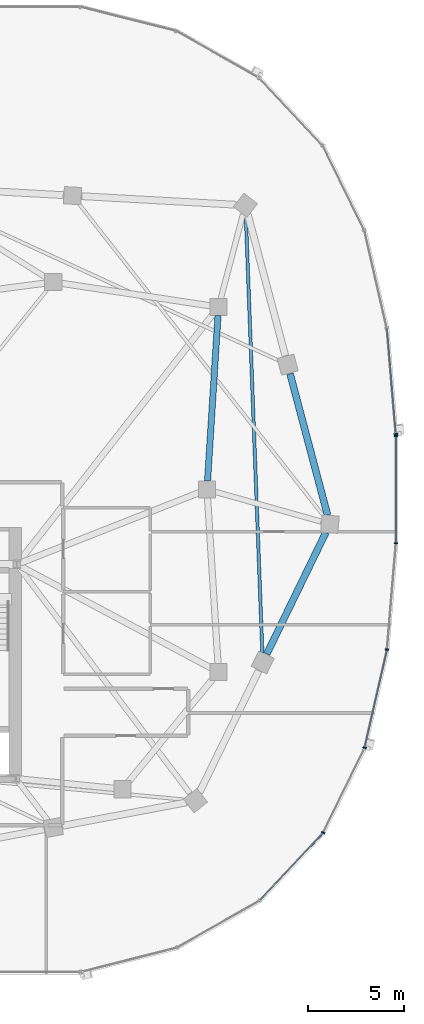
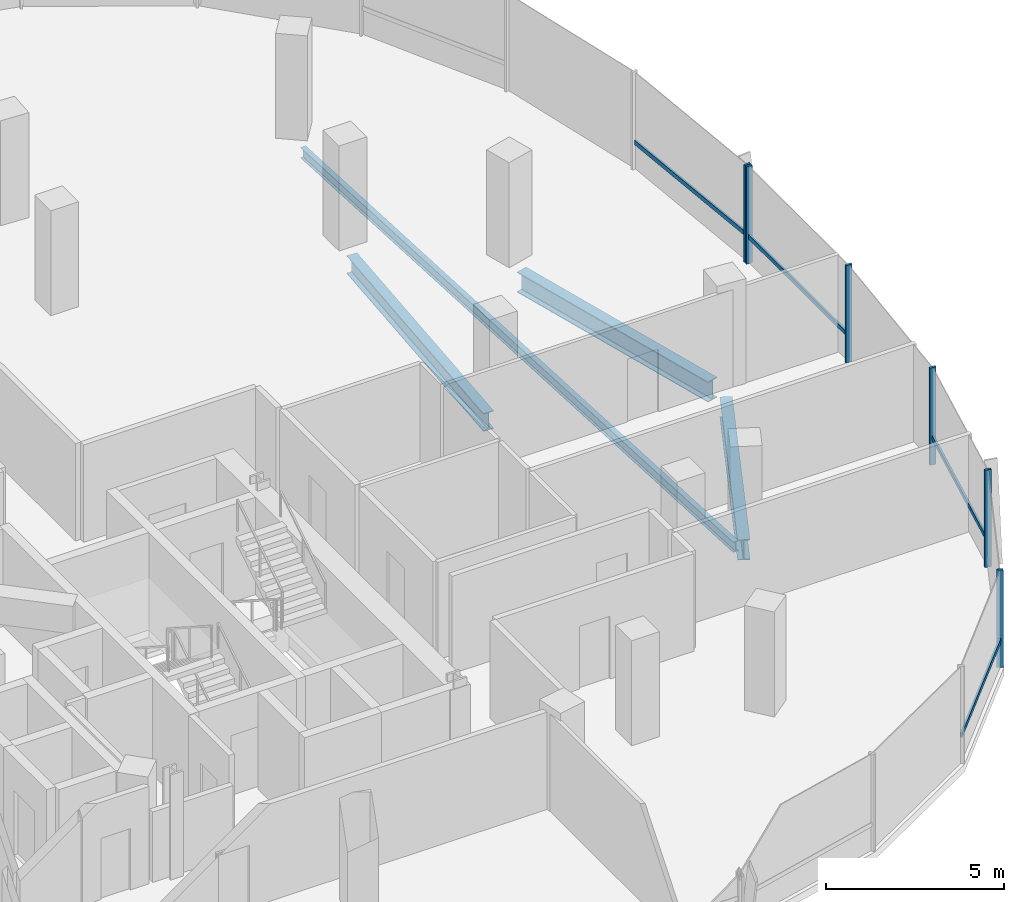
# One storey, part 10 of 25: 10 members, 4 beams, 2 elements without a shape of their own.
"""IFC4 building model written with IfcOpenShell, lengths in metres."""

import ifcopenshell
import ifcopenshell.guid

model = None  # the IFC model being written
_history = None  # IfcOwnerHistory: only IFC2X3 demands one
_inside = {}  # id of a spatial element -> (the spatial element, [elements in it])
_under = {}  # id of a project, library or spatial element -> (it, [spatial elements below it])
_declared = {}  # id of a project -> (the project, [libraries it declares])
_typed = {}  # id of a type object -> (the type object, [elements of that type])
_made_of = {}  # id of a material, layer set ... -> (it, [elements and type objects made of it])


def new_model(schema):
    """Start an empty IFC model of exactly this schema.

    Asked for "IFC4X3", IfcOpenShell would pick the latest addendum, in which some entities
    have other attributes; the version numbers below select the first issue.
    IFC2X3 requires an IfcOwnerHistory on every rooted entity: one is made here for all.
    """
    global model, _history
    if schema == "IFC4X3":
        model = ifcopenshell.file(schema_version=(4, 3, 0, 0))
    else:
        model = ifcopenshell.file(schema=schema)
    _inside.clear()
    _under.clear()
    _declared.clear()
    _typed.clear()
    _made_of.clear()
    _history = None
    if model.schema == "IFC2X3":
        org = make("IfcOrganization", Name="unknown")
        user = make(
            "IfcPersonAndOrganization",
            ThePerson=make("IfcPerson", FamilyName="unknown"),
            TheOrganization=org,
        )
        app = make(
            "IfcApplication",
            ApplicationDeveloper=org,
            Version="unknown",
            ApplicationFullName="unknown",
            ApplicationIdentifier="unknown",
        )
        _history = make(
            "IfcOwnerHistory",
            OwningUser=user,
            OwningApplication=app,
            ChangeAction="ADDED",
            CreationDate=0,
        )
    return model


def make(cls, **values):
    """One entity of the class cls with the attributes given. An attribute that is None is left unset."""
    return model.create_entity(
        cls, **{name: value for name, value in values.items() if value is not None}
    )


def rooted(cls, **values):
    """An entity with a GlobalId (a new one), such as an element, a storey or a relation."""
    return make(cls, GlobalId=ifcopenshell.guid.new(), OwnerHistory=_history, **values)


def si_unit(unit_type, name, prefix=None):
    """IfcSIUnit, for example si_unit("LENGTHUNIT", "METRE", prefix="MILLI")."""
    return make("IfcSIUnit", UnitType=unit_type, Prefix=prefix, Name=name)


def assignment(units):
    """IfcUnitAssignment: the units of a project."""
    return None if units is None else make("IfcUnitAssignment", Units=units)


def point(xyz):
    """IfcCartesianPoint."""
    return None if xyz is None else make("IfcCartesianPoint", Coordinates=xyz)


def direction(xyz):
    """IfcDirection."""
    return None if xyz is None else make("IfcDirection", DirectionRatios=xyz)


def frame(location, z_axis=None, x_axis=None):
    """IfcAxis2Placement3D, a coordinate frame: its origin and axes. An axis left out is left unset."""
    return make(
        "IfcAxis2Placement3D",
        Location=point(location),
        Axis=direction(z_axis),
        RefDirection=direction(x_axis),
    )


def frame_2d(location, x_axis=None):
    """IfcAxis2Placement2D, a coordinate frame in the plane: its origin and x axis."""
    return make(
        "IfcAxis2Placement2D", Location=point(location), RefDirection=direction(x_axis)
    )


def origin():
    """The frame at (0, 0, 0) with its axes left unset."""
    return frame((0.0, 0.0, 0.0))


def origin_2d():
    """The frame at (0, 0) in the plane with its x axis left unset."""
    return frame_2d((0.0, 0.0))


def place(relative_to, where):
    """IfcLocalPlacement: puts the frame where relative to a parent placement (None: the world)."""
    return make(
        "IfcLocalPlacement", PlacementRelTo=relative_to, RelativePlacement=where
    )


def context(
    kind, dimensions, precision=None, world=None, true_north=None, identifier=None
):
    """IfcGeometricRepresentationContext, for example the 3D "Model" context."""
    return make(
        "IfcGeometricRepresentationContext",
        ContextIdentifier=identifier,
        ContextType=kind,
        CoordinateSpaceDimension=dimensions,
        Precision=precision,
        WorldCoordinateSystem=world,
        TrueNorth=true_north,
    )


def subcontext(parent, identifier, kind, view, scale=None):
    """IfcGeometricRepresentationSubContext, for example "Body" below "Model"."""
    return make(
        "IfcGeometricRepresentationSubContext",
        ContextIdentifier=identifier,
        ContextType=kind,
        ParentContext=parent,
        TargetScale=scale,
        TargetView=view,
    )


def project(units=None, contexts=None):
    """IfcProject with its units and contexts."""
    return rooted(
        "IfcProject",
        Name="project",
        RepresentationContexts=contexts,
        UnitsInContext=assignment(units),
    )


def spatial(cls, under=None, at=None, **own):
    """A site, building, storey or space (cls), placed at a placement, below another one or the project."""
    s = rooted(cls, ObjectPlacement=at, **own)
    if under is not None:
        _under.setdefault(under.id(), (under, []))[1].append(s)
    return s


def profile(cls, at=None, kind="AREA", **sizes):
    """A parametric profile (cls). Its sizes go by their IFC names, for example OverallWidth=200.0."""
    return make(cls, ProfileType=kind, Position=at, **sizes)


def rectangle(**sizes):
    """IfcRectangleProfileDef."""
    return profile("IfcRectangleProfileDef", **sizes)


def i_section(**sizes):
    """IfcIShapeProfileDef."""
    return profile("IfcIShapeProfileDef", **sizes)


def extrude(swept, where, along, depth):
    """IfcExtrudedAreaSolid: the profile swept, set in the frame where, extruded along a direction by depth."""
    return make(
        "IfcExtrudedAreaSolid",
        SweptArea=swept,
        Position=where,
        ExtrudedDirection=direction(along),
        Depth=depth,
    )


def shape(context_of_items, identifier, shape_type, items):
    """IfcShapeRepresentation: the items that make up one representation, for example the "Body"."""
    return make(
        "IfcShapeRepresentation",
        ContextOfItems=context_of_items,
        RepresentationIdentifier=identifier,
        RepresentationType=shape_type,
        Items=items,
    )


def material(Name=None, Category=None):
    """IfcMaterial."""
    return make("IfcMaterial", Name=Name, Category=Category)


def material_profile(
    of_material, cross_section, Name=None, Category=None, Priority=None
):
    """IfcMaterialProfile: a cross section and its material."""
    return make(
        "IfcMaterialProfile",
        Name=Name,
        Material=of_material,
        Profile=cross_section,
        Priority=Priority,
        Category=Category,
    )


def profile_set(profiles, Name=None, composite=None):
    """IfcMaterialProfileSet."""
    return make(
        "IfcMaterialProfileSet",
        Name=Name,
        MaterialProfiles=profiles,
        CompositeProfile=composite,
    )


def made_of(thing, what):
    """Note that an element or type object is made of a material, layer set ...; save() writes the relation."""
    if what is not None:
        _made_of.setdefault(what.id(), (what, []))[1].append(thing)
    return thing


def type_object(cls, material=None, **own):
    """A type object (cls), such as IfcWallType, which elements share."""
    return made_of(rooted(cls, **own), material)


def element(
    cls,
    number,
    at=None,
    inside=None,
    cuts=None,
    type_object=None,
    material=None,
    context=None,
    identifier="Body",
    shape_type=None,
    held_by="IfcProductDefinitionShape",
    body=None,
    shapes=None,
    **own,
):
    """One element of the class cls, such as IfcWall. Its Tag is "e" and its number.

    at: its placement. inside: the storey or other place that contains it. cuts: it is an
    opening in that element (IfcRelVoidsElement). A single representation is given by context,
    identifier, shape_type and body (its items); several are given by shapes. held_by: the class
    of the entity that holds the representations. save() writes the other relations.
    """
    e = rooted(cls, Tag="e%d" % number, ObjectPlacement=at, **own)
    if body is not None:
        shapes = [shape(context, identifier, shape_type, body)]
    if shapes is not None:
        e.Representation = make(held_by, Representations=shapes)
    if inside is not None:
        _inside.setdefault(inside.id(), (inside, []))[1].append(e)
    if cuts is not None:
        rooted(
            "IfcRelVoidsElement", RelatingBuildingElement=cuts, RelatedOpeningElement=e
        )
    if type_object is not None:
        _typed.setdefault(type_object.id(), (type_object, []))[1].append(e)
    return made_of(e, material)


def aggregate(whole, parts):
    """IfcRelAggregates: a whole, such as a stair, and the parts it consists of."""
    return rooted("IfcRelAggregates", RelatingObject=whole, RelatedObjects=parts)


def save(model, path):
    """Write the relations noted so far, then the file.

    IfcRelAggregates (storeys below a building ...), IfcRelContainedInSpatialStructure (elements
    in a storey), IfcRelDefinesByType, IfcRelAssociatesMaterial and IfcRelDeclares: one each for
    every whole, place, type object, material and project.
    """
    for whole, parts in _under.values():
        aggregate(whole, parts)
    for where, things in _inside.values():
        rooted(
            "IfcRelContainedInSpatialStructure",
            RelatedElements=things,
            RelatingStructure=where,
        )
    for kind, things in _typed.values():
        rooted("IfcRelDefinesByType", RelatedObjects=things, RelatingType=kind)
    for what, things in _made_of.values():
        rooted("IfcRelAssociatesMaterial", RelatedObjects=things, RelatingMaterial=what)
    for by, libraries in _declared.values():
        rooted("IfcRelDeclares", RelatingContext=by, RelatedDefinitions=libraries)
    model.write(path)


model = new_model("IFC4")

# Units and contexts
model_context = context("Model", 3, precision=1e-05, world=origin(), true_north=direction((0.0, 1.0)))
body_context = subcontext(model_context, "Body", "Model", "MODEL_VIEW")
ifc_project = project(units=[si_unit("LENGTHUNIT", "METRE"), si_unit("AREAUNIT", "SQUARE_METRE"), si_unit("VOLUMEUNIT", "CUBIC_METRE"), si_unit("PLANEANGLEUNIT", "RADIAN"), si_unit("MASSUNIT", "GRAM", prefix="KILO"), si_unit("THERMODYNAMICTEMPERATUREUNIT", "KELVIN"), si_unit("POWERUNIT", "WATT")], contexts=[model_context])

# Site, building, storey
site_placement = place(None, origin())
site = spatial("IfcSite", under=ifc_project, at=site_placement, CompositionType="ELEMENT")
building_placement = place(site_placement, origin())
building = spatial("IfcBuilding", under=site, at=building_placement, Name="Cundina Bronze Exchange", CompositionType="ELEMENT")
storey_placement = place(building_placement, frame((0.0, 0.0, 191.800048828125)))
storey = spatial("IfcBuildingStorey", under=building, at=storey_placement, Name="L50", CompositionType="ELEMENT", Elevation=191.800048828125)

# Beams
ifc_material_1 = material(Name="Steel ASTM A992 Grade 50", Category="steel")
ifc_material_profile_1 = material_profile(ifc_material_1, i_section(OverallWidth=0.172119140625, OverallDepth=0.35791015625, WebThickness=0.0078125, FlangeThickness=0.01318359375, FilletRadius=0.010009765625, at=origin_2d()), Name="W14X38", Category="steel")
ifc_profile_set_1 = profile_set([ifc_material_profile_1], Name="Steel ASTM A992 Grade 50")
beam_type_1 = type_object("IfcBeamType", Name="BM-JST-W14", PredefinedType="JOIST", material=ifc_profile_set_1)
beam_1_placement = place(storey_placement, frame((44.08154296875, -8.51220703125, -0.43896484375), z_axis=(-0.037784933381, 0.999285894431, 0.0), x_axis=(-0.999285894431, -0.037784933381, 0.0)))
element("IfcBeam", 1, at=beam_1_placement, inside=storey, type_object=beam_type_1, Name="L50 Leg E Lobe Floor Joist 07-10", PredefinedType="JOIST", context=body_context, shape_type="SweptSolid", body=[
    extrude(i_section(OverallWidth=0.172119140625, OverallDepth=0.35791015625, WebThickness=0.0078125, FlangeThickness=0.01318359375, FilletRadius=0.010009765625, at=origin_2d()), origin(), (0.0, 0.0, 1.0), 22.8408203125),
])
ifc_material_profile_2 = material_profile(ifc_material_1, i_section(OverallWidth=0.324951171875, OverallDepth=0.615966796875, WebThickness=0.013916015625, FlangeThickness=0.021484375, FilletRadius=0.01611328125, at=origin_2d()), Name="W24X117", Category="steel")
ifc_profile_set_2 = profile_set([ifc_material_profile_2], Name="Steel ASTM A992 Grade 50")
beam_type_2 = type_object("IfcBeamType", Name="BM-RING-W24", PredefinedType="USERDEFINED", material=ifc_profile_set_2)
beam_2_placement = place(storey_placement, frame((41.2275390625, 0.43701171875, -0.568115234375), z_axis=(0.063046519736, 0.998010589297, 0.0), x_axis=(-0.998010589297, 0.063046519736, 0.0)))
element("IfcBeam", 2, at=beam_2_placement, inside=storey, type_object=beam_type_2, Name="L50 E Inner Structural Ring Girder 04", ObjectType="GIRDER", PredefinedType="USERDEFINED", context=body_context, shape_type="SweptSolid", body=[
    extrude(i_section(OverallWidth=0.324951171875, OverallDepth=0.615966796875, WebThickness=0.013916015625, FlangeThickness=0.021484375, FilletRadius=0.01611328125, at=origin_2d()), origin(), (0.0, 0.0, 1.0), 8.64306640625),
])
ifc_material_profile_3 = material_profile(ifc_material_1, i_section(OverallWidth=0.35498046875, OverallDepth=0.695068359375, WebThickness=0.015380859375, FlangeThickness=0.02490234375, FilletRadius=0.01806640625, at=origin_2d()), Name="W27X146", Category="steel")
ifc_profile_set_3 = profile_set([ifc_material_profile_3], Name="Steel ASTM A992 Grade 50")
beam_type_3 = type_object("IfcBeamType", Name="BM-RING-W27", PredefinedType="USERDEFINED", material=ifc_profile_set_3)
beam_3_placement = place(storey_placement, frame((44.3134765625, -8.56103515625, -0.607666015625), z_axis=(0.437196998825, 0.89936576776, 0.0), x_axis=(-0.89936576776, 0.437196998825, 0.0)))
element("IfcBeam", 3, at=beam_3_placement, inside=storey, type_object=beam_type_3, Name="L50 E Perimeter Ring Girder 07", ObjectType="GIRDER", PredefinedType="USERDEFINED", context=body_context, shape_type="SweptSolid", body=[
    extrude(i_section(OverallWidth=0.35498046875, OverallDepth=0.695068359375, WebThickness=0.015380859375, FlangeThickness=0.02490234375, FilletRadius=0.01806640625, at=origin_2d()), origin(), (0.0, 0.0, 1.0), 7.029541015625),
])
beam_4_placement = place(storey_placement, frame((47.47509765625, -1.328369140625, -0.607666015625), z_axis=(-0.256240814108, 0.966612975904, 0.0), x_axis=(-0.966612975904, -0.256240814108, 0.0)))
element("IfcBeam", 4, at=beam_4_placement, inside=storey, type_object=beam_type_3, Name="L50 E Perimeter Ring Girder 08", ObjectType="GIRDER", PredefinedType="USERDEFINED", context=body_context, shape_type="SweptSolid", body=[
    extrude(i_section(OverallWidth=0.35498046875, OverallDepth=0.695068359375, WebThickness=0.015380859375, FlangeThickness=0.02490234375, FilletRadius=0.01806640625, at=origin_2d()), origin(), (0.0, 0.0, 1.0), 7.61083984375),
])

# Curtain wall, member
ifc_material_2 = material(Name="Anodised Bronze Aluminium 6063-T6", Category="aluminium")
curtain_wall_type = type_object("IfcCurtainWallType", Name="CWS-UPP-OFF", PredefinedType="NOTDEFINED", material=ifc_material_2)
curtain_wall_1_placement = place(storey_placement, origin())
curtain_wall_1 = element("IfcCurtainWall", 5, at=curtain_wall_1_placement, inside=storey, type_object=curtain_wall_type, Name="L50 CW-05 Curtain Wall Run CWR-L50-E1", PredefinedType="NOTDEFINED")
ifc_material_profile_4 = material_profile(ifc_material_2, rectangle(XDim=0.070068359375, YDim=0.18994140625, at=origin_2d()), Name="AL70X190", Category="aluminium")
ifc_profile_set_4 = profile_set([ifc_material_profile_4], Name="Anodised Bronze Aluminium 6063-T6")
member_type_1 = type_object("IfcMemberType", Name="CWM-MUL-190", PredefinedType="MULLION", material=ifc_profile_set_4)
member_1_placement = place(storey_placement, frame((51.0302734375, 2.88330078125, 0.0), z_axis=(0.0, 0.0, 1.0), x_axis=(-0.083677843332, 0.99649285925, 0.0)))
member_1 = element("IfcMember", 6, at=member_1_placement, type_object=member_type_1, Name="CW-05 Mullion 1", PredefinedType="MULLION", context=body_context, shape_type="SweptSolid", body=[
    extrude(rectangle(XDim=0.070068359375, YDim=0.18994140625, at=origin_2d()), origin(), (0.0, 0.0, 1.0), 3.33984375),
])

# Curtain wall, members
curtain_wall_2_placement = place(storey_placement, origin())
curtain_wall_2 = element("IfcCurtainWall", 7, at=curtain_wall_2_placement, inside=storey, type_object=curtain_wall_type, Name="L50 CW-05 Curtain Wall Run CWR-L50-E4", PredefinedType="NOTDEFINED")
member_2_placement = place(storey_placement, frame((47.245361328125, -17.866455078125, 0.0), z_axis=(0.0, 0.0, 1.0), x_axis=(0.440566004113, 0.897720221461, 0.0)))
member_2 = element("IfcMember", 8, at=member_2_placement, type_object=member_type_1, Name="CW-05 Mullion 4", PredefinedType="MULLION", context=body_context, shape_type="SweptSolid", body=[
    extrude(rectangle(XDim=0.070068359375, YDim=0.18994140625, at=origin_2d()), origin(), (0.0, 0.0, 1.0), 3.33984375),
])
member_3_placement = place(storey_placement, frame((49.40771484375, -13.440673828125, 0.0), z_axis=(0.0, 0.0, 1.0), x_axis=(0.223250116011, 0.974761194191, 0.0)))
member_3 = element("IfcMember", 9, at=member_3_placement, type_object=member_type_1, Name="CW-05 Mullion 5", PredefinedType="MULLION", context=body_context, shape_type="SweptSolid", body=[
    extrude(rectangle(XDim=0.070068359375, YDim=0.18994140625, at=origin_2d()), origin(), (0.0, 0.0, 1.0), 3.33984375),
])
member_4_placement = place(storey_placement, frame((50.572509765625, -8.33056640625, 0.0), z_axis=(0.0, 0.0, 1.0), x_axis=(0.083677843332, 0.99649285925, 0.0)))
member_4 = element("IfcMember", 10, at=member_4_placement, type_object=member_type_1, Name="CW-05 Mullion 6", PredefinedType="MULLION", context=body_context, shape_type="SweptSolid", body=[
    extrude(rectangle(XDim=0.070068359375, YDim=0.18994140625, at=origin_2d()), origin(), (0.0, 0.0, 1.0), 3.33984375),
])
member_5_placement = place(storey_placement, frame((51.033935546875, -2.794921875, 0.0), z_axis=(0.0, 0.0, 1.0), x_axis=(0.0, 1.0, 0.0)))
member_5 = element("IfcMember", 11, at=member_5_placement, type_object=member_type_1, Name="CW-05 Mullion 7", PredefinedType="MULLION", context=body_context, shape_type="SweptSolid", body=[
    extrude(rectangle(XDim=0.070068359375, YDim=0.18994140625, at=origin_2d()), origin(), (0.0, 0.0, 1.0), 3.33984375),
])
member_6_placement = place(storey_placement, frame((51.033935546875, 2.794921875, 0.0), z_axis=(0.0, 0.0, 1.0), x_axis=(0.0, 1.0, 0.0)))
member_6 = element("IfcMember", 12, at=member_6_placement, type_object=member_type_1, Name="CW-05 End Mullion", PredefinedType="MULLION", context=body_context, shape_type="SweptSolid", body=[
    extrude(rectangle(XDim=0.070068359375, YDim=0.18994140625, at=origin_2d()), origin(), (0.0, 0.0, 1.0), 3.33984375),
])

# Member
ifc_material_profile_5 = material_profile(ifc_material_2, rectangle(XDim=0.06494140625, YDim=0.14990234375, at=origin_2d()), Name="AL65X150", Category="aluminium")
ifc_profile_set_5 = profile_set([ifc_material_profile_5], Name="Anodised Bronze Aluminium 6063-T6")
member_type_2 = type_object("IfcMemberType", Name="CWM-TRN-150", PredefinedType="USERDEFINED", material=ifc_profile_set_5)
member_7_placement = place(storey_placement, frame((51.027099609375, 2.921630859375, 0.919921875), z_axis=(-0.083740331158, 0.996487610027, 0.0), x_axis=(-0.996487610027, -0.083740331158, 0.0)))
member_7 = element("IfcMember", 13, at=member_7_placement, type_object=member_type_2, Name="CW-05 Spandrel Transom 1", ObjectType="TRANSOM", PredefinedType="USERDEFINED", context=body_context, shape_type="SweptSolid", body=[
    extrude(rectangle(XDim=0.06494140625, YDim=0.14990234375, at=origin_2d()), origin(), (0.0, 0.0, 1.0), 5.466552734375),
])

aggregate(curtain_wall_1, [member_1, member_7])

member_8_placement = place(storey_placement, frame((43.97509765625, -21.364501953125, 0.919921875), z_axis=(0.684336416554, 0.729166420633, 0.0), x_axis=(-0.729166420633, 0.684336416554, 0.0)))
member_8 = element("IfcMember", 14, at=member_8_placement, type_object=member_type_2, Name="CW-05 Spandrel Transom 3", ObjectType="TRANSOM", PredefinedType="USERDEFINED", context=body_context, shape_type="SweptSolid", body=[
    extrude(rectangle(XDim=0.06494140625, YDim=0.14990234375, at=origin_2d()), origin(), (0.0, 0.0, 1.0), 4.76513671875),
])

member_9_placement = place(storey_placement, frame((49.41650390625, -13.403076171875, 0.919921875), z_axis=(0.22328343579, 0.974753562344, 0.0), x_axis=(-0.974753562344, 0.22328343579, 0.0)))
member_9 = element("IfcMember", 15, at=member_9_placement, type_object=member_type_2, Name="CW-05 Spandrel Transom 5", ObjectType="TRANSOM", PredefinedType="USERDEFINED", context=body_context, shape_type="SweptSolid", body=[
    extrude(rectangle(XDim=0.06494140625, YDim=0.14990234375, at=origin_2d()), origin(), (0.0, 0.0, 1.0), 5.159912109375),
])

member_10_placement = place(storey_placement, frame((51.033935546875, -2.756591796875, 0.919921875), z_axis=(0.0, 1.0, 0.0), x_axis=(-1.0, 0.0, 0.0)))
member_10 = element("IfcMember", 16, at=member_10_placement, type_object=member_type_2, Name="CW-05 Spandrel Transom 7", ObjectType="TRANSOM", PredefinedType="USERDEFINED", context=body_context, shape_type="SweptSolid", body=[
    extrude(rectangle(XDim=0.06494140625, YDim=0.14990234375, at=origin_2d()), origin(), (0.0, 0.0, 1.0), 5.51318359375),
])

aggregate(curtain_wall_2, [member_8, member_2, member_3, member_9, member_4, member_5, member_6, member_10])

save(model, "model.ifc")
